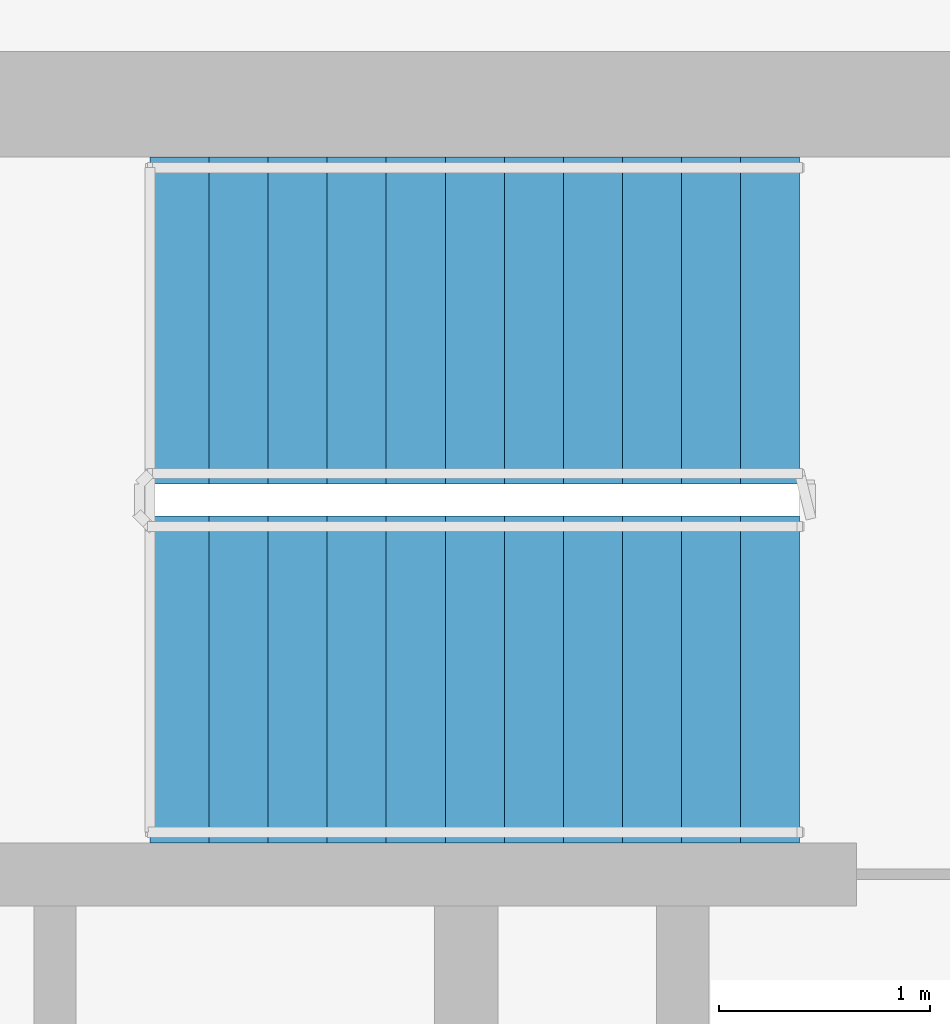
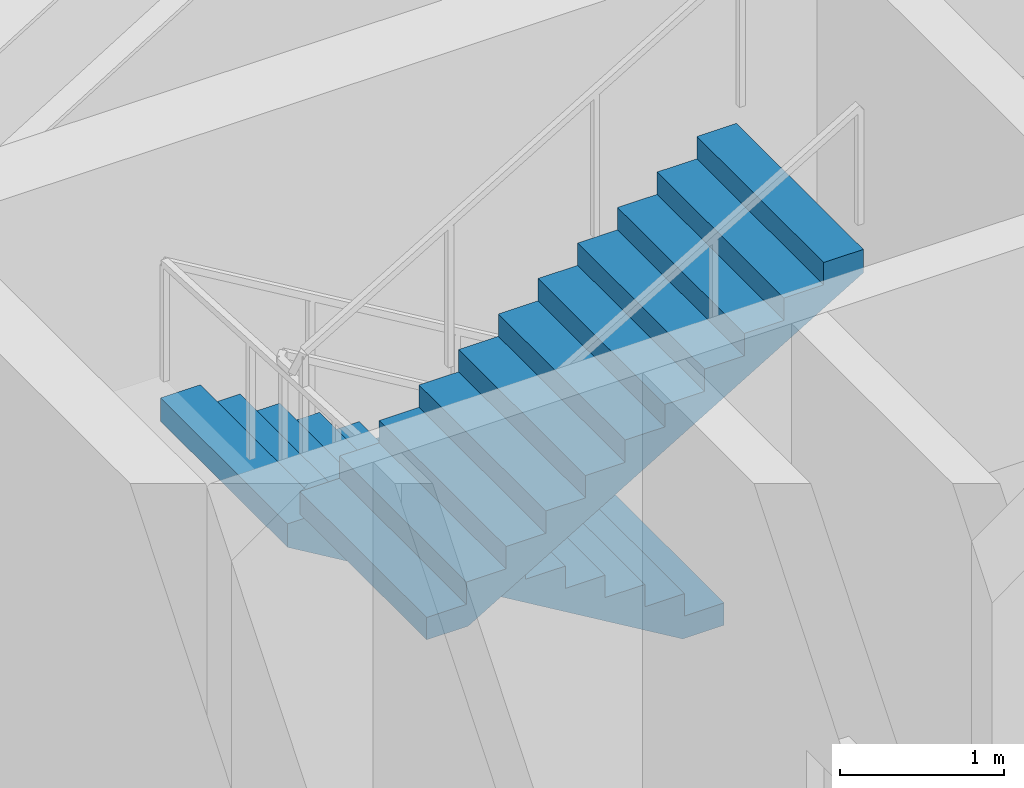
# One storey, part 11 of 20: 2 stair flights, 1 element without a shape of its own.
"""IFC4 building model written with IfcOpenShell, lengths in metres."""

from ifc_helpers import new_model, si_unit, direction, frame, origin, place, context, subcontext, project, spatial, polyline, outline, extrude, material, type_object, element, aggregate, save


model = new_model("IFC4")

# Units and contexts
model_context = context("Model", 3, precision=1e-05, world=origin(), true_north=direction((0.0, 1.0)))
body_context = subcontext(model_context, "Body", "Model", "MODEL_VIEW")
ifc_project = project(units=[si_unit("LENGTHUNIT", "METRE"), si_unit("AREAUNIT", "SQUARE_METRE"), si_unit("VOLUMEUNIT", "CUBIC_METRE"), si_unit("PLANEANGLEUNIT", "RADIAN"), si_unit("MASSUNIT", "GRAM", prefix="KILO")], contexts=[model_context])

# Site, building, storey
site_placement = place(None, origin())
site = spatial("IfcSite", under=ifc_project, at=site_placement, CompositionType="ELEMENT")
building_placement = place(site_placement, origin())
building = spatial("IfcBuilding", under=site, at=building_placement, Name="Noorbagh Ring Tower", CompositionType="ELEMENT")
storey_placement = place(building_placement, frame((0.0, 0.0, 323.0)))
storey = spatial("IfcBuildingStorey", under=building, at=storey_placement, Name="L70", CompositionType="ELEMENT", Elevation=323.0)

# Stair, stair flights
ifc_material_1 = material(Name="Concrete C40/50", Category="concrete")
stair_type = type_object("IfcStairType", Name="CORE-STAIR", PredefinedType="HALF_TURN_STAIR", material=ifc_material_1)
stair_placement = place(storey_placement, origin())
stair = element("IfcStair", 1, at=stair_placement, inside=storey, type_object=stair_type, Name="L70 Exit stair ST3", PredefinedType="HALF_TURN_STAIR")
ifc_material_2 = material(Name="Concrete C40/50", Category="concrete")
stair_flight_type = type_object("IfcStairFlightType", Name="CORE-STAIR-FLIGHT", PredefinedType="STRAIGHT", material=ifc_material_2)
stair_flight_1_placement = place(storey_placement, frame((21.530029296875, 7.22509765625, 0.0), z_axis=(0.0, 0.0, 1.0), x_axis=(-1.0, 0.0, 0.0)))
stair_flight_1 = element("IfcStairFlight", 2, at=stair_flight_1_placement, type_object=stair_flight_type, Name="ST3 flight 1", NumberOfRisers=12, NumberOfTreads=11, PredefinedType="STRAIGHT", RiserHeight=0.166666667, TreadLength=0.28, context=body_context, shape_type="SweptSolid", body=[
    extrude(outline(polyline([(0.0, 0.0), (0.0, 0.166748046875), (0.280029296875, 0.166748046875), (0.280029296875, 0.333251953125), (0.56005859375, 0.333251953125), (0.56005859375, 0.5), (0.840087890625, 0.5), (0.840087890625, 0.666748046875), (1.1201171875, 0.666748046875), (1.1201171875, 0.833251953125), (1.39990234375, 0.833251953125), (1.39990234375, 1.0), (1.679931640625, 1.0), (1.679931640625, 1.166748046875), (1.9599609375, 1.166748046875), (1.9599609375, 1.333251953125), (2.239990234375, 1.333251953125), (2.239990234375, 1.5), (2.52001953125, 1.5), (2.52001953125, 1.666748046875), (2.800048828125, 1.666748046875), (2.800048828125, 1.833251953125), (3.080078125, 1.833251953125), (3.080078125, 2.0), (3.080078125, 1.658935546875), (0.29296875, 0.0), (0.0, 0.0)])), frame((0.0, 0.77490234375, 0.0), z_axis=(0.0, -1.0, 0.0), x_axis=(1.0, 0.0, 0.0)), (0.0, 0.0, 1.0), 1.550048828125),
])
stair_flight_2_placement = place(storey_placement, frame((18.449951171875, 5.52490234375, 2.0), z_axis=(0.0, 0.0, 1.0), x_axis=(1.0, 0.0, 0.0)))
stair_flight_2 = element("IfcStairFlight", 3, at=stair_flight_2_placement, type_object=stair_flight_type, Name="ST3 flight 2", NumberOfRisers=12, NumberOfTreads=11, PredefinedType="STRAIGHT", RiserHeight=0.166666667, TreadLength=0.28, context=body_context, shape_type="SweptSolid", body=[
    extrude(outline(polyline([(0.0, 0.0), (0.0, 0.166748046875), (0.280029296875, 0.166748046875), (0.280029296875, 0.333251953125), (0.56005859375, 0.333251953125), (0.56005859375, 0.5), (0.840087890625, 0.5), (0.840087890625, 0.666748046875), (1.1201171875, 0.666748046875), (1.1201171875, 0.833251953125), (1.39990234375, 0.833251953125), (1.39990234375, 1.0), (1.679931640625, 1.0), (1.679931640625, 1.166748046875), (1.9599609375, 1.166748046875), (1.9599609375, 1.333251953125), (2.239990234375, 1.333251953125), (2.239990234375, 1.5), (2.52001953125, 1.5), (2.52001953125, 1.666748046875), (2.800048828125, 1.666748046875), (2.800048828125, 1.833251953125), (3.080078125, 1.833251953125), (3.080078125, 2.0), (3.080078125, 1.658935546875), (0.29296875, 0.0), (0.0, 0.0)])), frame((0.0, 0.77490234375, 0.0), z_axis=(0.0, -1.0, 0.0), x_axis=(1.0, 0.0, 0.0)), (0.0, 0.0, 1.0), 1.550048828125),
])
aggregate(stair, [stair_flight_1, stair_flight_2])

save(model, "model.ifc")
